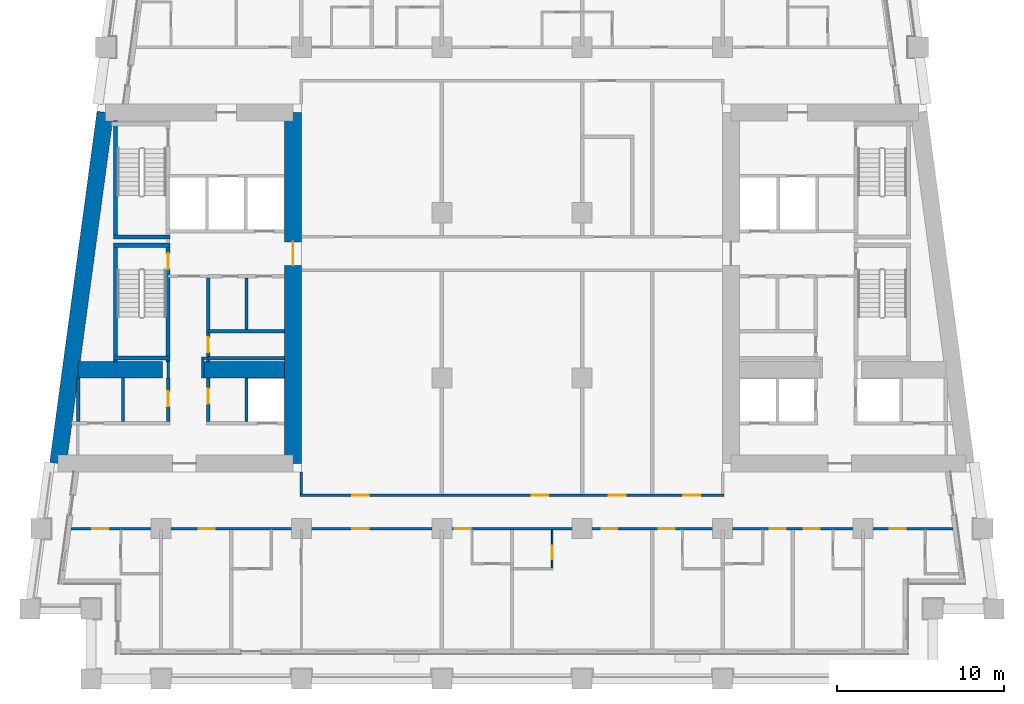
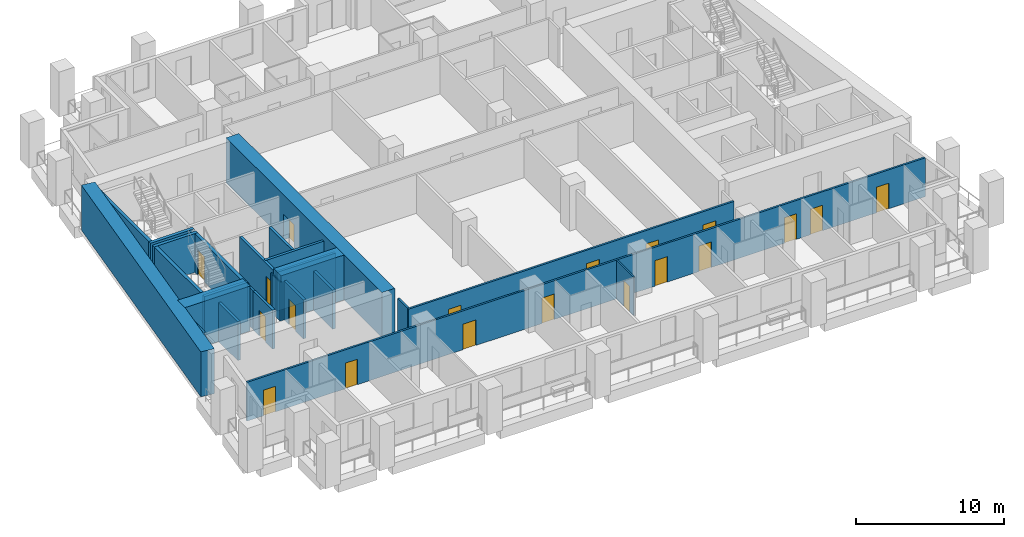
# One storey, part 3 of 13: 26 walls, 19 doors, 19 openings.
"""IFC4 building model written with IfcOpenShell, lengths in metres."""

from ifc_helpers import new_model, si_unit, direction, frame, frame_2d, origin, place, context, subcontext, project, spatial, rectangle, extrude, material, layer, layer_set, type_object, element, fill, save


model = new_model("IFC4")

# Units and contexts
model_context = context("Model", 3, precision=1e-05, world=origin(), true_north=direction((0.0, 1.0)))
body_context = subcontext(model_context, "Body", "Model", "MODEL_VIEW")
ifc_project = project(units=[si_unit("LENGTHUNIT", "METRE"), si_unit("AREAUNIT", "SQUARE_METRE"), si_unit("VOLUMEUNIT", "CUBIC_METRE"), si_unit("PLANEANGLEUNIT", "RADIAN"), si_unit("MASSUNIT", "GRAM", prefix="KILO")], contexts=[model_context])

# Site, building, storey
site_placement = place(None, origin())
site = spatial("IfcSite", under=ifc_project, at=site_placement, CompositionType="ELEMENT")
building_placement = place(site_placement, origin())
building = spatial("IfcBuilding", under=site, at=building_placement, Name="Candeia Pilgrim Tower and Theatre", CompositionType="ELEMENT")
storey_placement = place(building_placement, frame((0.0, 0.0, 131.699951171875)))
storey = spatial("IfcBuildingStorey", under=building, at=storey_placement, Name="L31", CompositionType="ELEMENT", Elevation=131.699951171875)

# Wall, opening, door
ifc_material_1 = material(Name="Concrete C70/85", Category="concrete")
ifc_layer_1 = layer(ifc_material_1, 1.0)
ifc_layer_set_1 = layer_set([ifc_layer_1], Name="Core wall 1000 C70/85")
wall_type_1 = type_object("IfcWallType", Name="Core wall 1000 C70/85", PredefinedType="SHEAR", material=ifc_layer_set_1)
wall_1_placement = place(storey_placement, frame((100.300048828125, 131.89990234375, 0.0), z_axis=(0.0, 0.0, 1.0), x_axis=(0.0, -1.0, 0.0)))
wall_1 = element("IfcWall", 1, at=wall_1_placement, inside=storey, type_object=wall_type_1, Name="Core wall W2", PredefinedType="SHEAR", context=body_context, shape_type="SweptSolid", body=[
    extrude(rectangle(XDim=21.0, YDim=1.0, at=frame_2d((10.5, 0.0))), origin(), (0.0, 0.0, 1.0), 3.699951171875),
])
opening_1_placement = place(wall_1_placement, frame((7.75, 0.0, 0.0)))
opening_1 = element("IfcOpeningElement", 2, at=opening_1_placement, cuts=wall_1, Name="Opening L31-D060", PredefinedType="OPENING", context=body_context, shape_type="SweptSolid", body=[
    extrude(rectangle(XDim=1.39990234375, YDim=2.10009765625, at=frame_2d((0.699951171875, 1.050048828125))), frame((0.0, 0.510009765625, 0.0), z_axis=(0.0, -1.0, 0.0), x_axis=(1.0, 0.0, 0.0)), (0.0, 0.0, 1.0), 1.02001953125),
])
ifc_material_2 = material(Name="Steel fire door set", Category="steel")
door_type_1 = type_object("IfcDoorType", Name="D-1400-FD60", OperationType="NOTDEFINED", PredefinedType="DOOR", material=ifc_material_2)
door_1_placement = place(opening_1_placement, origin())
door_1 = element("IfcDoor", 3, at=door_1_placement, inside=storey, type_object=door_type_1, Name="Door L31-D060", OperationType="SINGLE_SWING_LEFT", OverallHeight=2.10009765625, OverallWidth=1.39990234375, PredefinedType="DOOR", context=body_context, shape_type="SweptSolid", body=[
    extrude(rectangle(XDim=1.39990234375, YDim=2.10009765625, at=frame_2d((0.699951171875, 1.050048828125))), frame((0.0, 0.02490234375, 0.0), z_axis=(0.0, -1.0, 0.0), x_axis=(1.0, 0.0, 0.0)), (0.0, 0.0, 1.0), 0.050048828125),
])
fill(opening_1, door_1)

# Walls
wall_2_placement = place(storey_placement, frame((86.240966796875, 110.89990234375, 0.0), z_axis=(0.0, 0.0, 1.0), x_axis=(0.133411141623, 0.991060778808, 0.0)))
element("IfcWall", 4, at=wall_2_placement, inside=storey, type_object=wall_type_1, Name="Core wall W4", PredefinedType="SHEAR", context=body_context, shape_type="SweptSolid", body=[
    extrude(rectangle(XDim=21.189453125, YDim=1.0, at=frame_2d((10.5947265625, 0.0))), origin(), (0.0, 0.0, 1.0), 3.699951171875),
])
wall_3_placement = place(storey_placement, frame((87.423095703125, 116.5, 0.0), z_axis=(0.0, 0.0, 1.0), x_axis=(1.0, 0.0, 0.0)))
element("IfcWall", 5, at=wall_3_placement, inside=storey, type_object=wall_type_1, Name="Core wall W5", PredefinedType="SHEAR", context=body_context, shape_type="SweptSolid", body=[
    extrude(rectangle(XDim=5.076904296875, YDim=1.0, at=frame_2d((2.53857421875, 0.0))), origin(), (0.0, 0.0, 1.0), 3.699951171875),
])
wall_4_placement = place(storey_placement, frame((94.89990234375, 116.5, 0.0), z_axis=(0.0, 0.0, 1.0), x_axis=(1.0, 0.0, 0.0)))
element("IfcWall", 6, at=wall_4_placement, inside=storey, type_object=wall_type_1, Name="Core wall W6", PredefinedType="SHEAR", context=body_context, shape_type="SweptSolid", body=[
    extrude(rectangle(XDim=4.900146484375, YDim=1.0, at=frame_2d((2.4501953125, 0.0))), origin(), (0.0, 0.0, 1.0), 3.699951171875),
])

# Wall, opening, door
ifc_material_3 = material(Name="Gypsum board partition on steel studs", Category="steel")
ifc_layer_2 = layer(ifc_material_3, 0.10009765625)
ifc_layer_set_2 = layer_set([ifc_layer_2], Name="PW-100 room partition")
wall_type_2 = type_object("IfcWallType", Name="PW-100 room partition", PredefinedType="PARTITIONING", material=ifc_layer_set_2)
wall_5_placement = place(storey_placement, frame((115.800048828125, 104.64990234375, 0.0), z_axis=(0.0, 0.0, 1.0), x_axis=(0.0, 1.0, 0.0)))
wall_5 = element("IfcWall", 7, at=wall_5_placement, inside=storey, type_object=wall_type_2, Name="Room partition L31-086", PredefinedType="PARTITIONING", context=body_context, shape_type="SweptSolid", body=[
    extrude(rectangle(XDim=2.275146484375, YDim=0.10009765625, at=frame_2d((1.1376953125, 0.0))), origin(), (0.0, 0.0, 1.0), 3.199951171875),
])
opening_2_placement = place(wall_5_placement, frame((0.52490234375, 0.0, 0.0)))
opening_2 = element("IfcOpeningElement", 8, at=opening_2_placement, cuts=wall_5, Name="Opening L31-D026", PredefinedType="OPENING", context=body_context, shape_type="SweptSolid", body=[
    extrude(rectangle(XDim=0.800048828125, YDim=2.10009765625, at=frame_2d((0.39990234375, 1.050048828125))), frame((0.0, 0.06005859375, 0.0), z_axis=(0.0, -1.0, 0.0), x_axis=(1.0, 0.0, 0.0)), (0.0, 0.0, 1.0), 0.1201171875),
])
ifc_material_4 = material(Name="Timber door leaf", Category="wood")
door_type_2 = type_object("IfcDoorType", Name="D-800", OperationType="NOTDEFINED", PredefinedType="DOOR", material=ifc_material_4)
door_2_placement = place(opening_2_placement, origin())
door_2 = element("IfcDoor", 9, at=door_2_placement, inside=storey, type_object=door_type_2, Name="Door L31-D026", OperationType="SINGLE_SWING_LEFT", OverallHeight=2.10009765625, OverallWidth=0.800048828125, PredefinedType="DOOR", context=body_context, shape_type="SweptSolid", body=[
    extrude(rectangle(XDim=0.800048828125, YDim=2.10009765625, at=frame_2d((0.39990234375, 1.050048828125))), frame((0.0, 0.02490234375, 0.0), z_axis=(0.0, -1.0, 0.0), x_axis=(1.0, 0.0, 0.0)), (0.0, 0.0, 1.0), 0.050048828125),
])
fill(opening_2, door_2)

# Walls
ifc_layer_3 = layer(ifc_material_3, 0.14990234375)
ifc_layer_set_3 = layer_set([ifc_layer_3], Name="PW-150 lobby wall")
wall_type_3 = type_object("IfcWallType", Name="PW-150 lobby wall", PredefinedType="PARTITIONING", material=ifc_layer_set_3)
wall_6_placement = place(storey_placement, frame((94.824951171875, 117.199951171875, 0.0), z_axis=(0.0, 0.0, 1.0), x_axis=(1.0, 0.0, 0.0)))
element("IfcWall", 10, at=wall_6_placement, inside=storey, type_object=wall_type_3, Name="Lobby wall L31-017", PredefinedType="PARTITIONING", context=body_context, shape_type="SweptSolid", body=[
    extrude(rectangle(XDim=0.402099609375, YDim=0.14990234375, at=frame_2d((0.201171875, 0.0))), origin(), (0.0, 0.0, 1.0), 3.199951171875),
])
wall_7_placement = place(storey_placement, frame((92.826904296875, 116.0, 0.0), z_axis=(0.0, 0.0, 1.0), x_axis=(0.0, 1.0, 0.0)))
element("IfcWall", 11, at=wall_7_placement, inside=storey, type_object=wall_type_3, Name="Lobby wall L31-057", PredefinedType="PARTITIONING", context=body_context, shape_type="SweptSolid", body=[
    extrude(rectangle(XDim=0.969970703125, YDim=0.14990234375, at=frame_2d((0.48486328125, 0.0))), origin(), (0.0, 0.0, 1.0), 3.199951171875),
])
wall_8_placement = place(storey_placement, frame((94.89990234375, 116.0, 0.0), z_axis=(0.0, 0.0, 1.0), x_axis=(0.0, 1.0, 0.0)))
element("IfcWall", 12, at=wall_8_placement, inside=storey, type_object=wall_type_3, Name="Lobby wall L31-062", PredefinedType="PARTITIONING", context=body_context, shape_type="SweptSolid", body=[
    extrude(rectangle(XDim=1.125, YDim=0.14990234375, at=frame_2d((0.5625, 0.0))), origin(), (0.0, 0.0, 1.0), 3.199951171875),
])

# Wall, openings, doors
ifc_layer_4 = layer(ifc_material_3, 0.14990234375)
ifc_layer_set_4 = layer_set([ifc_layer_4], Name="PW-150 unit wall")
wall_type_4 = type_object("IfcWallType", Name="PW-150 unit wall", PredefinedType="PARTITIONING", material=ifc_layer_set_4)
wall_9_placement = place(storey_placement, frame((87.017578125, 107.0, 0.0), z_axis=(0.0, 0.0, 1.0), x_axis=(1.0, 0.0, 0.0)))
wall_9 = element("IfcWall", 13, at=wall_9_placement, inside=storey, type_object=wall_type_4, Name="Unit wall L31-009", PredefinedType="PARTITIONING", context=body_context, shape_type="SweptSolid", body=[
    extrude(rectangle(XDim=52.7646484375, YDim=0.14990234375, at=frame_2d((26.38232421875, 0.0))), origin(), (0.0, 0.0, 1.0), 3.199951171875),
])
opening_3_placement = place(wall_9_placement, frame((1.2763671875, 0.0, 0.0)))
opening_3 = element("IfcOpeningElement", 14, at=opening_3_placement, cuts=wall_9, Name="Opening L31-D017", PredefinedType="OPENING", context=body_context, shape_type="SweptSolid", body=[
    extrude(rectangle(XDim=0.949951171875, YDim=2.10009765625, at=frame_2d((0.47509765625, 1.050048828125))), frame((0.0, 0.0849609375, 0.0), z_axis=(0.0, -1.0, 0.0), x_axis=(1.0, 0.0, 0.0)), (0.0, 0.0, 1.0), 0.169921875),
])
opening_4_placement = place(wall_9_placement, frame((7.645263671875, 0.0, 0.0)))
opening_4 = element("IfcOpeningElement", 15, at=opening_4_placement, cuts=wall_9, Name="Opening L31-D019", PredefinedType="OPENING", context=body_context, shape_type="SweptSolid", body=[
    extrude(rectangle(XDim=0.949951171875, YDim=2.10009765625, at=frame_2d((0.47509765625, 1.050048828125))), frame((0.0, 0.0849609375, 0.0), z_axis=(0.0, -1.0, 0.0), x_axis=(1.0, 0.0, 0.0)), (0.0, 0.0, 1.0), 0.169921875),
])
opening_5_placement = place(wall_9_placement, frame((16.812255859375, 0.0, 0.0)))
opening_5 = element("IfcOpeningElement", 16, at=opening_5_placement, cuts=wall_9, Name="Opening L31-D020", PredefinedType="OPENING", context=body_context, shape_type="SweptSolid", body=[
    extrude(rectangle(XDim=1.0, YDim=2.10009765625, at=frame_2d((0.5, 1.050048828125))), frame((0.0, 0.0849609375, 0.0), z_axis=(0.0, -1.0, 0.0), x_axis=(1.0, 0.0, 0.0)), (0.0, 0.0, 1.0), 0.169921875),
])
opening_6_placement = place(wall_9_placement, frame((22.952392578125, 0.0, 0.0)))
opening_6 = element("IfcOpeningElement", 17, at=opening_6_placement, cuts=wall_9, Name="Opening L31-D023", PredefinedType="OPENING", context=body_context, shape_type="SweptSolid", body=[
    extrude(rectangle(XDim=0.949951171875, YDim=2.10009765625, at=frame_2d((0.47509765625, 1.050048828125))), frame((0.0, 0.0849609375, 0.0), z_axis=(0.0, -1.0, 0.0), x_axis=(1.0, 0.0, 0.0)), (0.0, 0.0, 1.0), 0.169921875),
])
opening_7_placement = place(wall_9_placement, frame((31.7421875, 0.0, 0.0)))
opening_7 = element("IfcOpeningElement", 18, at=opening_7_placement, cuts=wall_9, Name="Opening L31-D025", PredefinedType="OPENING", context=body_context, shape_type="SweptSolid", body=[
    extrude(rectangle(XDim=0.949951171875, YDim=2.10009765625, at=frame_2d((0.47509765625, 1.050048828125))), frame((0.0, 0.0849609375, 0.0), z_axis=(0.0, -1.0, 0.0), x_axis=(1.0, 0.0, 0.0)), (0.0, 0.0, 1.0), 0.169921875),
])
opening_8_placement = place(wall_9_placement, frame((35.169189453125, 0.0, 0.0)))
opening_8 = element("IfcOpeningElement", 19, at=opening_8_placement, cuts=wall_9, Name="Opening L31-D027", PredefinedType="OPENING", context=body_context, shape_type="SweptSolid", body=[
    extrude(rectangle(XDim=0.949951171875, YDim=2.10009765625, at=frame_2d((0.47509765625, 1.050048828125))), frame((0.0, 0.0849609375, 0.0), z_axis=(0.0, -1.0, 0.0), x_axis=(1.0, 0.0, 0.0)), (0.0, 0.0, 1.0), 0.169921875),
])
opening_9_placement = place(wall_9_placement, frame((41.807373046875, 0.0, 0.0)))
opening_9 = element("IfcOpeningElement", 20, at=opening_9_placement, cuts=wall_9, Name="Opening L31-D029", PredefinedType="OPENING", context=body_context, shape_type="SweptSolid", body=[
    extrude(rectangle(XDim=0.949951171875, YDim=2.10009765625, at=frame_2d((0.47509765625, 1.050048828125))), frame((0.0, 0.0849609375, 0.0), z_axis=(0.0, -1.0, 0.0), x_axis=(1.0, 0.0, 0.0)), (0.0, 0.0, 1.0), 0.169921875),
])
opening_10_placement = place(wall_9_placement, frame((43.832275390625, 0.0, 0.0)))
opening_10 = element("IfcOpeningElement", 21, at=opening_10_placement, cuts=wall_9, Name="Opening L31-D031", PredefinedType="OPENING", context=body_context, shape_type="SweptSolid", body=[
    extrude(rectangle(XDim=0.949951171875, YDim=2.10009765625, at=frame_2d((0.47509765625, 1.050048828125))), frame((0.0, 0.0849609375, 0.0), z_axis=(0.0, -1.0, 0.0), x_axis=(1.0, 0.0, 0.0)), (0.0, 0.0, 1.0), 0.169921875),
])
opening_11_placement = place(wall_9_placement, frame((48.974365234375, 0.0, 0.0)))
opening_11 = element("IfcOpeningElement", 22, at=opening_11_placement, cuts=wall_9, Name="Opening L31-D033", PredefinedType="OPENING", context=body_context, shape_type="SweptSolid", body=[
    extrude(rectangle(XDim=0.949951171875, YDim=2.10009765625, at=frame_2d((0.47509765625, 1.050048828125))), frame((0.0, 0.0849609375, 0.0), z_axis=(0.0, -1.0, 0.0), x_axis=(1.0, 0.0, 0.0)), (0.0, 0.0, 1.0), 0.169921875),
])
door_type_3 = type_object("IfcDoorType", Name="D-1000-FD30S", OperationType="NOTDEFINED", PredefinedType="DOOR", material=ifc_material_2)
door_3_placement = place(opening_5_placement, origin())
door_3 = element("IfcDoor", 23, at=door_3_placement, inside=storey, type_object=door_type_3, Name="Door L31-D020", OperationType="SINGLE_SWING_LEFT", OverallHeight=2.10009765625, OverallWidth=1.0, PredefinedType="DOOR", context=body_context, shape_type="SweptSolid", body=[
    extrude(rectangle(XDim=1.0, YDim=2.10009765625, at=frame_2d((0.5, 1.050048828125))), frame((0.0, 0.02490234375, 0.0), z_axis=(0.0, -1.0, 0.0), x_axis=(1.0, 0.0, 0.0)), (0.0, 0.0, 1.0), 0.050048828125),
])
fill(opening_5, door_3)
door_type_4 = type_object("IfcDoorType", Name="D-950-FD30S", OperationType="NOTDEFINED", PredefinedType="DOOR", material=ifc_material_2)
door_4_placement = place(opening_3_placement, origin())
door_4 = element("IfcDoor", 24, at=door_4_placement, inside=storey, type_object=door_type_4, Name="Door L31-D017", OperationType="SINGLE_SWING_RIGHT", OverallHeight=2.10009765625, OverallWidth=0.949951171875, PredefinedType="DOOR", context=body_context, shape_type="SweptSolid", body=[
    extrude(rectangle(XDim=0.949951171875, YDim=2.10009765625, at=frame_2d((0.47509765625, 1.050048828125))), frame((0.0, 0.02490234375, 0.0), z_axis=(0.0, -1.0, 0.0), x_axis=(1.0, 0.0, 0.0)), (0.0, 0.0, 1.0), 0.050048828125),
])
fill(opening_3, door_4)
door_5_placement = place(opening_4_placement, origin())
door_5 = element("IfcDoor", 25, at=door_5_placement, inside=storey, type_object=door_type_4, Name="Door L31-D019", OperationType="SINGLE_SWING_RIGHT", OverallHeight=2.10009765625, OverallWidth=0.949951171875, PredefinedType="DOOR", context=body_context, shape_type="SweptSolid", body=[
    extrude(rectangle(XDim=0.949951171875, YDim=2.10009765625, at=frame_2d((0.47509765625, 1.050048828125))), frame((0.0, 0.02490234375, 0.0), z_axis=(0.0, -1.0, 0.0), x_axis=(1.0, 0.0, 0.0)), (0.0, 0.0, 1.0), 0.050048828125),
])
fill(opening_4, door_5)
door_6_placement = place(opening_6_placement, origin())
door_6 = element("IfcDoor", 26, at=door_6_placement, inside=storey, type_object=door_type_4, Name="Door L31-D023", OperationType="SINGLE_SWING_RIGHT", OverallHeight=2.10009765625, OverallWidth=0.949951171875, PredefinedType="DOOR", context=body_context, shape_type="SweptSolid", body=[
    extrude(rectangle(XDim=0.949951171875, YDim=2.10009765625, at=frame_2d((0.47509765625, 1.050048828125))), frame((0.0, 0.02490234375, 0.0), z_axis=(0.0, -1.0, 0.0), x_axis=(1.0, 0.0, 0.0)), (0.0, 0.0, 1.0), 0.050048828125),
])
fill(opening_6, door_6)
door_7_placement = place(opening_7_placement, origin())
door_7 = element("IfcDoor", 27, at=door_7_placement, inside=storey, type_object=door_type_4, Name="Door L31-D025", OperationType="SINGLE_SWING_RIGHT", OverallHeight=2.10009765625, OverallWidth=0.949951171875, PredefinedType="DOOR", context=body_context, shape_type="SweptSolid", body=[
    extrude(rectangle(XDim=0.949951171875, YDim=2.10009765625, at=frame_2d((0.47509765625, 1.050048828125))), frame((0.0, 0.02490234375, 0.0), z_axis=(0.0, -1.0, 0.0), x_axis=(1.0, 0.0, 0.0)), (0.0, 0.0, 1.0), 0.050048828125),
])
fill(opening_7, door_7)
door_8_placement = place(opening_8_placement, origin())
door_8 = element("IfcDoor", 28, at=door_8_placement, inside=storey, type_object=door_type_4, Name="Door L31-D027", OperationType="SINGLE_SWING_RIGHT", OverallHeight=2.10009765625, OverallWidth=0.949951171875, PredefinedType="DOOR", context=body_context, shape_type="SweptSolid", body=[
    extrude(rectangle(XDim=0.949951171875, YDim=2.10009765625, at=frame_2d((0.47509765625, 1.050048828125))), frame((0.0, 0.02490234375, 0.0), z_axis=(0.0, -1.0, 0.0), x_axis=(1.0, 0.0, 0.0)), (0.0, 0.0, 1.0), 0.050048828125),
])
fill(opening_8, door_8)
door_9_placement = place(opening_9_placement, origin())
door_9 = element("IfcDoor", 29, at=door_9_placement, inside=storey, type_object=door_type_4, Name="Door L31-D029", OperationType="SINGLE_SWING_RIGHT", OverallHeight=2.10009765625, OverallWidth=0.949951171875, PredefinedType="DOOR", context=body_context, shape_type="SweptSolid", body=[
    extrude(rectangle(XDim=0.949951171875, YDim=2.10009765625, at=frame_2d((0.47509765625, 1.050048828125))), frame((0.0, 0.02490234375, 0.0), z_axis=(0.0, -1.0, 0.0), x_axis=(1.0, 0.0, 0.0)), (0.0, 0.0, 1.0), 0.050048828125),
])
fill(opening_9, door_9)
door_10_placement = place(opening_10_placement, origin())
door_10 = element("IfcDoor", 30, at=door_10_placement, inside=storey, type_object=door_type_4, Name="Door L31-D031", OperationType="SINGLE_SWING_RIGHT", OverallHeight=2.10009765625, OverallWidth=0.949951171875, PredefinedType="DOOR", context=body_context, shape_type="SweptSolid", body=[
    extrude(rectangle(XDim=0.949951171875, YDim=2.10009765625, at=frame_2d((0.47509765625, 1.050048828125))), frame((0.0, 0.02490234375, 0.0), z_axis=(0.0, -1.0, 0.0), x_axis=(1.0, 0.0, 0.0)), (0.0, 0.0, 1.0), 0.050048828125),
])
fill(opening_10, door_10)
door_11_placement = place(opening_11_placement, origin())
door_11 = element("IfcDoor", 31, at=door_11_placement, inside=storey, type_object=door_type_4, Name="Door L31-D033", OperationType="SINGLE_SWING_RIGHT", OverallHeight=2.10009765625, OverallWidth=0.949951171875, PredefinedType="DOOR", context=body_context, shape_type="SweptSolid", body=[
    extrude(rectangle(XDim=0.949951171875, YDim=2.10009765625, at=frame_2d((0.47509765625, 1.050048828125))), frame((0.0, 0.02490234375, 0.0), z_axis=(0.0, -1.0, 0.0), x_axis=(1.0, 0.0, 0.0)), (0.0, 0.0, 1.0), 0.050048828125),
])
fill(opening_11, door_11)

wall_10_placement = place(storey_placement, frame((100.72509765625, 109.0, 0.0), z_axis=(0.0, 0.0, 1.0), x_axis=(1.0, 0.0, 0.0)))
wall_10 = element("IfcWall", 32, at=wall_10_placement, inside=storey, type_object=wall_type_4, Name="Unit wall L31-010", PredefinedType="PARTITIONING", context=body_context, shape_type="SweptSolid", body=[
    extrude(rectangle(XDim=25.349853515625, YDim=0.14990234375, at=frame_2d((12.6748046875, 0.0))), origin(), (0.0, 0.0, 1.0), 3.199951171875),
])
opening_12_placement = place(wall_10_placement, frame((3.10498046875, 0.0, 0.0)))
opening_12 = element("IfcOpeningElement", 33, at=opening_12_placement, cuts=wall_10, Name="Opening L31-D050", PredefinedType="OPENING", context=body_context, shape_type="SweptSolid", body=[
    extrude(rectangle(XDim=1.0, YDim=2.10009765625, at=frame_2d((0.5, 1.050048828125))), frame((0.0, 0.0849609375, 0.0), z_axis=(0.0, -1.0, 0.0), x_axis=(1.0, 0.0, 0.0)), (0.0, 0.0, 1.0), 0.169921875),
])
opening_13_placement = place(wall_10_placement, frame((13.85009765625, 0.0, 0.0)))
opening_13 = element("IfcOpeningElement", 34, at=opening_13_placement, cuts=wall_10, Name="Opening L31-D051", PredefinedType="OPENING", context=body_context, shape_type="SweptSolid", body=[
    extrude(rectangle(XDim=1.0, YDim=2.10009765625, at=frame_2d((0.5, 1.050048828125))), frame((0.0, 0.0849609375, 0.0), z_axis=(0.0, -1.0, 0.0), x_axis=(1.0, 0.0, 0.0)), (0.0, 0.0, 1.0), 0.169921875),
])
opening_14_placement = place(wall_10_placement, frame((18.47509765625, 0.0, 0.0)))
opening_14 = element("IfcOpeningElement", 35, at=opening_14_placement, cuts=wall_10, Name="Opening L31-D052", PredefinedType="OPENING", context=body_context, shape_type="SweptSolid", body=[
    extrude(rectangle(XDim=1.0, YDim=2.10009765625, at=frame_2d((0.5, 1.050048828125))), frame((0.0, 0.0849609375, 0.0), z_axis=(0.0, -1.0, 0.0), x_axis=(1.0, 0.0, 0.0)), (0.0, 0.0, 1.0), 0.169921875),
])
opening_15_placement = place(wall_10_placement, frame((22.925048828125, 0.0, 0.0)))
opening_15 = element("IfcOpeningElement", 36, at=opening_15_placement, cuts=wall_10, Name="Opening L31-D053", PredefinedType="OPENING", context=body_context, shape_type="SweptSolid", body=[
    extrude(rectangle(XDim=1.0, YDim=2.10009765625, at=frame_2d((0.5, 1.050048828125))), frame((0.0, 0.0849609375, 0.0), z_axis=(0.0, -1.0, 0.0), x_axis=(1.0, 0.0, 0.0)), (0.0, 0.0, 1.0), 0.169921875),
])
door_12_placement = place(opening_12_placement, origin())
door_12 = element("IfcDoor", 37, at=door_12_placement, inside=storey, type_object=door_type_3, Name="Door L31-D050", OperationType="SINGLE_SWING_LEFT", OverallHeight=2.10009765625, OverallWidth=1.0, PredefinedType="DOOR", context=body_context, shape_type="SweptSolid", body=[
    extrude(rectangle(XDim=1.0, YDim=2.10009765625, at=frame_2d((0.5, 1.050048828125))), frame((0.0, 0.02490234375, 0.0), z_axis=(0.0, -1.0, 0.0), x_axis=(1.0, 0.0, 0.0)), (0.0, 0.0, 1.0), 0.050048828125),
])
fill(opening_12, door_12)
door_13_placement = place(opening_13_placement, origin())
door_13 = element("IfcDoor", 38, at=door_13_placement, inside=storey, type_object=door_type_3, Name="Door L31-D051", OperationType="SINGLE_SWING_RIGHT", OverallHeight=2.10009765625, OverallWidth=1.0, PredefinedType="DOOR", context=body_context, shape_type="SweptSolid", body=[
    extrude(rectangle(XDim=1.0, YDim=2.10009765625, at=frame_2d((0.5, 1.050048828125))), frame((0.0, 0.02490234375, 0.0), z_axis=(0.0, -1.0, 0.0), x_axis=(1.0, 0.0, 0.0)), (0.0, 0.0, 1.0), 0.050048828125),
])
fill(opening_13, door_13)
door_14_placement = place(opening_14_placement, origin())
door_14 = element("IfcDoor", 39, at=door_14_placement, inside=storey, type_object=door_type_3, Name="Door L31-D052", OperationType="SINGLE_SWING_LEFT", OverallHeight=2.10009765625, OverallWidth=1.0, PredefinedType="DOOR", context=body_context, shape_type="SweptSolid", body=[
    extrude(rectangle(XDim=1.0, YDim=2.10009765625, at=frame_2d((0.5, 1.050048828125))), frame((0.0, 0.02490234375, 0.0), z_axis=(0.0, -1.0, 0.0), x_axis=(1.0, 0.0, 0.0)), (0.0, 0.0, 1.0), 0.050048828125),
])
fill(opening_14, door_14)
door_15_placement = place(opening_15_placement, origin())
door_15 = element("IfcDoor", 40, at=door_15_placement, inside=storey, type_object=door_type_3, Name="Door L31-D053", OperationType="SINGLE_SWING_RIGHT", OverallHeight=2.10009765625, OverallWidth=1.0, PredefinedType="DOOR", context=body_context, shape_type="SweptSolid", body=[
    extrude(rectangle(XDim=1.0, YDim=2.10009765625, at=frame_2d((0.5, 1.050048828125))), frame((0.0, 0.02490234375, 0.0), z_axis=(0.0, -1.0, 0.0), x_axis=(1.0, 0.0, 0.0)), (0.0, 0.0, 1.0), 0.050048828125),
])
fill(opening_15, door_15)

# Walls
wall_11_placement = place(storey_placement, frame((100.800048828125, 109.074951171875, 0.0), z_axis=(0.0, 0.0, 1.0), x_axis=(0.0, 1.0, 0.0)))
element("IfcWall", 41, at=wall_11_placement, inside=storey, type_object=wall_type_4, Name="Unit wall L31-074", PredefinedType="PARTITIONING", context=body_context, shape_type="SweptSolid", body=[
    extrude(rectangle(XDim=1.324951171875, YDim=0.14990234375, at=frame_2d((0.66259765625, 0.0))), origin(), (0.0, 0.0, 1.0), 3.199951171875),
])
ifc_material_5 = material(Name="Concrete C40/50", Category="concrete")
ifc_layer_5 = layer(ifc_material_5, 0.199951171875)
ifc_layer_set_5 = layer_set([ifc_layer_5], Name="SW-200 shaft wall")
wall_type_5 = type_object("IfcWallType", Name="SW-200 shaft wall", PredefinedType="PARTITIONING", material=ifc_layer_set_5)
for number, where, z_axis, x_axis, name in (
    (42, (95.22705078125, 117.199951171875, 0.0), (0.0, 0.0, 1.0), (1.0, 0.0, 0.0), "Shaft wall L31-015"),
    (43, (95.22705078125, 118.800048828125, 0.0), (0.0, 0.0, 1.0), (1.0, 0.0, 0.0), "Shaft wall L31-021"),
):
    element("IfcWall", number, at=place(storey_placement, frame(where, z_axis=z_axis, x_axis=x_axis)), inside=storey, type_object=wall_type_5, Name=name, PredefinedType="PARTITIONING", context=body_context, shape_type="SweptSolid", body=[
        extrude(rectangle(XDim=4.572998046875, YDim=0.199951171875, at=frame_2d((2.28662109375, 0.0))), origin(), (0.0, 0.0, 1.0), 3.199951171875),
    ])
for number, where, z_axis, x_axis, name in (
    (44, (87.451171875, 113.39990234375, 0.0), (0.0, 0.0, 1.0), (0.0, 1.0, 0.0), "Shaft wall L31-049"),
    (45, (90.1279296875, 113.39990234375, 0.0), (0.0, 0.0, 1.0), (0.0, 1.0, 0.0), "Shaft wall L31-054"),
):
    element("IfcWall", number, at=place(storey_placement, frame(where, z_axis=z_axis, x_axis=x_axis)), inside=storey, type_object=wall_type_5, Name=name, PredefinedType="PARTITIONING", context=body_context, shape_type="SweptSolid", body=[
        extrude(rectangle(XDim=2.60009765625, YDim=0.199951171875, at=frame_2d((1.300048828125, 0.0))), origin(), (0.0, 0.0, 1.0), 3.199951171875),
    ])

# Wall, opening, door
wall_12_placement = place(storey_placement, frame((92.826904296875, 113.39990234375, 0.0), z_axis=(0.0, 0.0, 1.0), x_axis=(0.0, 1.0, 0.0)))
wall_12 = element("IfcWall", 46, at=wall_12_placement, inside=storey, type_object=wall_type_5, Name="Shaft wall L31-056", PredefinedType="PARTITIONING", context=body_context, shape_type="SweptSolid", body=[
    extrude(rectangle(XDim=2.60009765625, YDim=0.199951171875, at=frame_2d((1.300048828125, 0.0))), origin(), (0.0, 0.0, 1.0), 3.199951171875),
])
opening_16_placement = place(wall_12_placement, frame((0.909912109375, 0.0, 0.0)))
opening_16 = element("IfcOpeningElement", 47, at=opening_16_placement, cuts=wall_12, Name="Opening L31-D008", PredefinedType="OPENING", context=body_context, shape_type="SweptSolid", body=[
    extrude(rectangle(XDim=0.89990234375, YDim=2.10009765625, at=frame_2d((0.449951171875, 1.050048828125))), frame((0.0, 0.10986328125, 0.0), z_axis=(0.0, -1.0, 0.0), x_axis=(1.0, 0.0, 0.0)), (0.0, 0.0, 1.0), 0.219970703125),
])
door_type_5 = type_object("IfcDoorType", Name="D-900-FD60", OperationType="NOTDEFINED", PredefinedType="DOOR", material=ifc_material_2)
door_16_placement = place(opening_16_placement, origin())
door_16 = element("IfcDoor", 48, at=door_16_placement, inside=storey, type_object=door_type_5, Name="Door L31-D008", OperationType="SINGLE_SWING_RIGHT", OverallHeight=2.10009765625, OverallWidth=0.89990234375, PredefinedType="DOOR", context=body_context, shape_type="SweptSolid", body=[
    extrude(rectangle(XDim=0.89990234375, YDim=2.10009765625, at=frame_2d((0.449951171875, 1.050048828125))), frame((0.0, 0.02490234375, 0.0), z_axis=(0.0, -1.0, 0.0), x_axis=(1.0, 0.0, 0.0)), (0.0, 0.0, 1.0), 0.050048828125),
])
fill(opening_16, door_16)

wall_13_placement = place(storey_placement, frame((95.22705078125, 113.39990234375, 0.0), z_axis=(0.0, 0.0, 1.0), x_axis=(0.0, 1.0, 0.0)))
wall_13 = element("IfcWall", 49, at=wall_13_placement, inside=storey, type_object=wall_type_5, Name="Shaft wall L31-064", PredefinedType="PARTITIONING", context=body_context, shape_type="SweptSolid", body=[
    extrude(rectangle(XDim=2.60009765625, YDim=0.199951171875, at=frame_2d((1.300048828125, 0.0))), origin(), (0.0, 0.0, 1.0), 3.199951171875),
])
opening_17_placement = place(wall_13_placement, frame((1.074951171875, 0.0, 0.0)))
opening_17 = element("IfcOpeningElement", 50, at=opening_17_placement, cuts=wall_13, Name="Opening L31-D009", PredefinedType="OPENING", context=body_context, shape_type="SweptSolid", body=[
    extrude(rectangle(XDim=0.89990234375, YDim=2.10009765625, at=frame_2d((0.449951171875, 1.050048828125))), frame((0.0, 0.10986328125, 0.0), z_axis=(0.0, -1.0, 0.0), x_axis=(1.0, 0.0, 0.0)), (0.0, 0.0, 1.0), 0.219970703125),
])
door_17_placement = place(opening_17_placement, origin())
door_17 = element("IfcDoor", 51, at=door_17_placement, inside=storey, type_object=door_type_5, Name="Door L31-D009", OperationType="SINGLE_SWING_LEFT", OverallHeight=2.10009765625, OverallWidth=0.89990234375, PredefinedType="DOOR", context=body_context, shape_type="SweptSolid", body=[
    extrude(rectangle(XDim=0.89990234375, YDim=2.10009765625, at=frame_2d((0.449951171875, 1.050048828125))), frame((0.0, 0.02490234375, 0.0), z_axis=(0.0, -1.0, 0.0), x_axis=(1.0, 0.0, 0.0)), (0.0, 0.0, 1.0), 0.050048828125),
])
fill(opening_17, door_17)

wall_14_placement = place(storey_placement, frame((95.22705078125, 116.969970703125, 0.0), z_axis=(0.0, 0.0, 1.0), x_axis=(0.0, 1.0, 0.0)))
wall_14 = element("IfcWall", 52, at=wall_14_placement, inside=storey, type_object=wall_type_5, Name="Shaft wall L31-065", PredefinedType="PARTITIONING", context=body_context, shape_type="SweptSolid", body=[
    extrude(rectangle(XDim=5.030029296875, YDim=0.199951171875, at=frame_2d((2.51513671875, 0.0))), origin(), (0.0, 0.0, 1.0), 3.199951171875),
])
opening_18_placement = place(wall_14_placement, frame((0.580078125, 0.0, 0.0)))
opening_18 = element("IfcOpeningElement", 53, at=opening_18_placement, cuts=wall_14, Name="Opening L31-D006", PredefinedType="OPENING", context=body_context, shape_type="SweptSolid", body=[
    extrude(rectangle(XDim=0.89990234375, YDim=2.10009765625, at=frame_2d((0.449951171875, 1.050048828125))), frame((0.0, 0.10986328125, 0.0), z_axis=(0.0, -1.0, 0.0), x_axis=(1.0, 0.0, 0.0)), (0.0, 0.0, 1.0), 0.219970703125),
])
door_18_placement = place(opening_18_placement, origin())
door_18 = element("IfcDoor", 54, at=door_18_placement, inside=storey, type_object=door_type_5, Name="Door L31-D006", OperationType="SINGLE_SWING_LEFT", OverallHeight=2.10009765625, OverallWidth=0.89990234375, PredefinedType="DOOR", context=body_context, shape_type="SweptSolid", body=[
    extrude(rectangle(XDim=0.89990234375, YDim=2.10009765625, at=frame_2d((0.449951171875, 1.050048828125))), frame((0.0, 0.02490234375, 0.0), z_axis=(0.0, -1.0, 0.0), x_axis=(1.0, 0.0, 0.0)), (0.0, 0.0, 1.0), 0.050048828125),
])
fill(opening_18, door_18)

# Walls
wall_15_placement = place(storey_placement, frame((97.513427734375, 113.39990234375, 0.0), z_axis=(0.0, 0.0, 1.0), x_axis=(0.0, 1.0, 0.0)))
element("IfcWall", 55, at=wall_15_placement, inside=storey, type_object=wall_type_5, Name="Shaft wall L31-069", PredefinedType="PARTITIONING", context=body_context, shape_type="SweptSolid", body=[
    extrude(rectangle(XDim=2.60009765625, YDim=0.199951171875, at=frame_2d((1.300048828125, 0.0))), origin(), (0.0, 0.0, 1.0), 3.199951171875),
])
wall_16_placement = place(storey_placement, frame((97.513427734375, 118.89990234375, 0.0), z_axis=(0.0, 0.0, 1.0), x_axis=(0.0, 1.0, 0.0)))
element("IfcWall", 56, at=wall_16_placement, inside=storey, type_object=wall_type_5, Name="Shaft wall L31-070", PredefinedType="PARTITIONING", context=body_context, shape_type="SweptSolid", body=[
    extrude(rectangle(XDim=3.10009765625, YDim=0.199951171875, at=frame_2d((1.550048828125, 0.0))), origin(), (0.0, 0.0, 1.0), 3.199951171875),
])
ifc_layer_6 = layer(ifc_material_5, 0.25)
ifc_layer_set_6 = layer_set([ifc_layer_6], Name="SW-250 stair wall")
wall_type_6 = type_object("IfcWallType", Name="SW-250 stair wall", PredefinedType="PARTITIONING", material=ifc_layer_set_6)
for number, where, z_axis, x_axis, name in (
    (57, (89.552001953125, 117.199951171875, 0.0), (0.0, 0.0, 1.0), (1.0, 0.0, 0.0), "Stair wall L31-019"),
    (58, (89.552001953125, 123.949951171875, 0.0), (0.0, 0.0, 1.0), (1.0, 0.0, 0.0), "Stair wall L31-028"),
    (59, (89.552001953125, 124.449951171875, 0.0), (0.0, 0.0, 1.0), (1.0, 0.0, 0.0), "Stair wall L31-030"),
):
    element("IfcWall", number, at=place(storey_placement, frame(where, z_axis=z_axis, x_axis=x_axis)), inside=storey, type_object=wall_type_6, Name=name, PredefinedType="PARTITIONING", context=body_context, shape_type="SweptSolid", body=[
        extrude(rectangle(XDim=3.39990234375, YDim=0.25, at=frame_2d((1.699951171875, 0.0))), origin(), (0.0, 0.0, 1.0), 3.199951171875),
    ])
for number, where, z_axis, x_axis, name in (
    (60, (89.677001953125, 116.969970703125, 0.0), (0.0, 0.0, 1.0), (0.0, 1.0, 0.0), "Stair wall L31-051"),
    (61, (89.677001953125, 124.574951171875, 0.0), (0.0, 0.0, 1.0), (0.0, 1.0, 0.0), "Stair wall L31-052"),
):
    element("IfcWall", number, at=place(storey_placement, frame(where, z_axis=z_axis, x_axis=x_axis)), inside=storey, type_object=wall_type_6, Name=name, PredefinedType="PARTITIONING", context=body_context, shape_type="SweptSolid", body=[
        extrude(rectangle(XDim=6.85498046875, YDim=0.25, at=frame_2d((3.427490234375, 0.0))), origin(), (0.0, 0.0, 1.0), 3.199951171875),
    ])

# Wall, opening, door
wall_17_placement = place(storey_placement, frame((92.826904296875, 116.969970703125, 0.0), z_axis=(0.0, 0.0, 1.0), x_axis=(0.0, 1.0, 0.0)))
wall_17 = element("IfcWall", 62, at=wall_17_placement, inside=storey, type_object=wall_type_6, Name="Stair wall L31-059", PredefinedType="PARTITIONING", context=body_context, shape_type="SweptSolid", body=[
    extrude(rectangle(XDim=6.85498046875, YDim=0.25, at=frame_2d((3.427490234375, 0.0))), origin(), (0.0, 0.0, 1.0), 3.199951171875),
])
opening_19_placement = place(wall_17_placement, frame((5.554931640625, 0.0, 0.0)))
opening_19 = element("IfcOpeningElement", 63, at=opening_19_placement, cuts=wall_17, Name="Opening L31-D004", PredefinedType="OPENING", context=body_context, shape_type="SweptSolid", body=[
    extrude(rectangle(XDim=0.949951171875, YDim=2.10009765625, at=frame_2d((0.47509765625, 1.050048828125))), frame((0.0, 0.135009765625, 0.0), z_axis=(0.0, -1.0, 0.0), x_axis=(1.0, 0.0, 0.0)), (0.0, 0.0, 1.0), 0.27001953125),
])
door_type_6 = type_object("IfcDoorType", Name="D-950-FD60", OperationType="NOTDEFINED", PredefinedType="DOOR", material=ifc_material_2)
door_19_placement = place(opening_19_placement, origin())
door_19 = element("IfcDoor", 64, at=door_19_placement, inside=storey, type_object=door_type_6, Name="Door L31-D004", OperationType="SINGLE_SWING_LEFT", OverallHeight=2.10009765625, OverallWidth=0.949951171875, PredefinedType="DOOR", context=body_context, shape_type="SweptSolid", body=[
    extrude(rectangle(XDim=0.949951171875, YDim=2.10009765625, at=frame_2d((0.47509765625, 1.050048828125))), frame((0.0, 0.02490234375, 0.0), z_axis=(0.0, -1.0, 0.0), x_axis=(1.0, 0.0, 0.0)), (0.0, 0.0, 1.0), 0.050048828125),
])
fill(opening_19, door_19)

save(model, "model.ifc")
